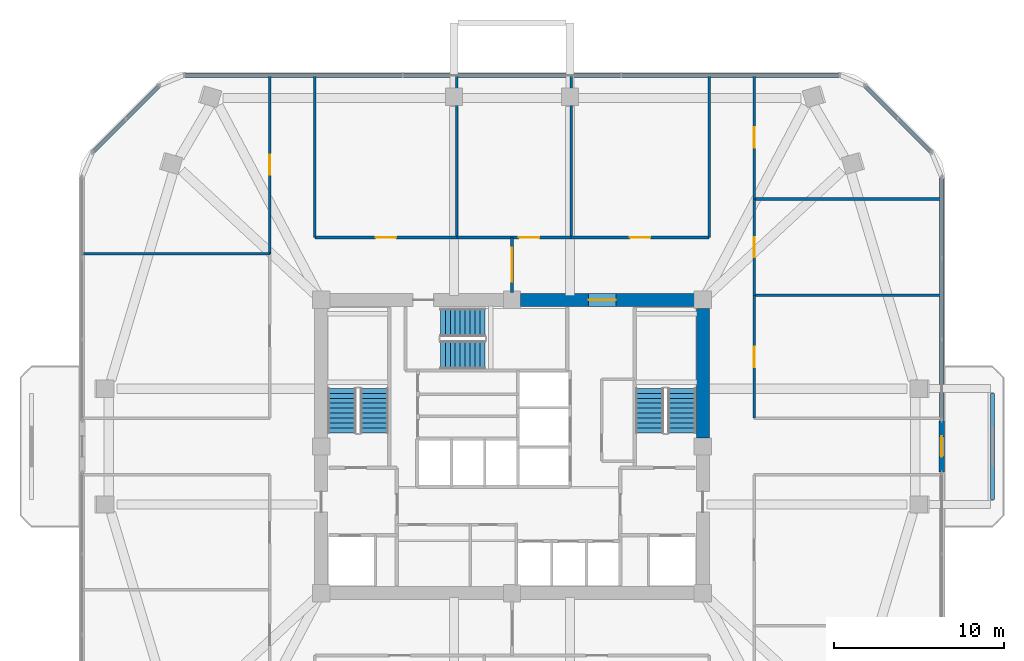
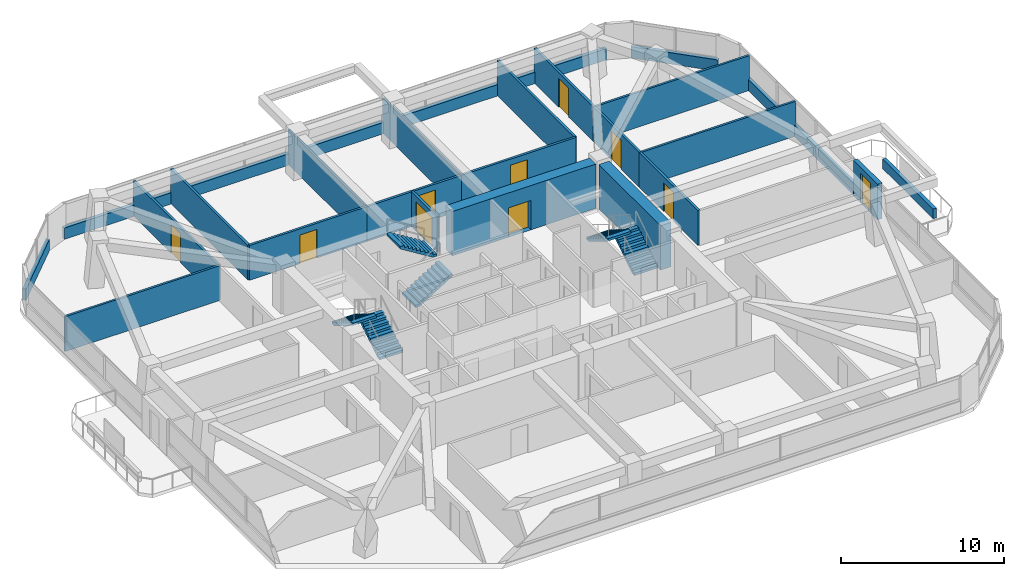
# One storey, part 12 of 14: 23 walls, 10 doors, 6 stair flights, 10 openings, 3 elements without a shape of their own.
"""IFC4 building model written with IfcOpenShell, lengths in metres."""

from ifc_helpers import new_model, si_unit, derived_unit, direction, frame, frame_2d, origin, place, context, subcontext, project, spatial, polyline, rectangle, outline, extrude, material, layer, layer_set, type_object, element, fill, aggregate, save


model = new_model("IFC4")

# Units and contexts
model_context = context("Model", 3, precision=1e-05, world=origin(), true_north=direction((0.0, 1.0)))
body_context = subcontext(model_context, "Body", "Model", "MODEL_VIEW")
ifc_project = project(units=[si_unit("LENGTHUNIT", "METRE"), si_unit("AREAUNIT", "SQUARE_METRE"), si_unit("VOLUMEUNIT", "CUBIC_METRE"), si_unit("PLANEANGLEUNIT", "RADIAN"), si_unit("MASSUNIT", "GRAM", prefix="KILO"), derived_unit("THERMALTRANSMITTANCEUNIT", [(si_unit("POWERUNIT", "WATT"), 1), (si_unit("LENGTHUNIT", "METRE"), -2), (si_unit("THERMODYNAMICTEMPERATUREUNIT", "KELVIN"), -1)])], contexts=[model_context])

# Site, building, storey
site_placement = place(None, origin())
site = spatial("IfcSite", under=ifc_project, at=site_placement, CompositionType="ELEMENT")
building_placement = place(site_placement, origin())
building = spatial("IfcBuilding", under=site, at=building_placement, Name="Koralith Skygarden Medical Center", CompositionType="ELEMENT")
storey_placement = place(building_placement, frame((0.0, 0.0, 106.3798828125)))
storey = spatial("IfcBuildingStorey", under=building, at=storey_placement, Name="L27", CompositionType="ELEMENT", Elevation=106.3798828125)

# Walls
ifc_material_1 = material(Name="Gypsum Board Partition")
ifc_layer_1 = layer(ifc_material_1, 0.14990234375)
ifc_layer_set_1 = layer_set([ifc_layer_1], Name="Gypsum Board Partition")
wall_type_1 = type_object("IfcWallType", Name="Clinical Acoustic Partition 150", PredefinedType="PARTITIONING", material=ifc_layer_set_1)
for number, where, z_axis, x_axis, name in (
    (1, (33.762939453125, 38.159912109375, 0.0), (0.0, 0.0, 1.0), (0.0, 1.0, 0.0), "L27 Clinical Acoustic Partition 150 W-PART-L27-N-01"),
    (2, (40.468017578125, 38.159912109375, 0.0), (0.0, 0.0, 1.0), (0.0, 1.0, 0.0), "L27 Clinical Acoustic Partition 150 W-PART-L27-N-02"),
):
    element("IfcWall", number, at=place(storey_placement, frame(where, z_axis=z_axis, x_axis=x_axis)), inside=storey, type_object=wall_type_1, Name=name, PredefinedType="PARTITIONING", context=body_context, shape_type="SweptSolid", body=[
        extrude(rectangle(XDim=9.4970703125, YDim=0.14990234375, at=frame_2d((4.74853515625, 0.0))), origin(), (0.0, 0.0, 1.0), 2.610107421875),
    ])
for number, where, z_axis, x_axis, name in (
    (3, (22.7900390625, 37.20703125, 0.0), (0.0, 0.0, 1.0), (-1.0, 0.0, 0.0), "L27 Clinical Acoustic Partition 150 W-PART-L27-WN-01"),
    (4, (51.2099609375, 34.762939453125, 0.0), (0.0, 0.0, 1.0), (1.0, 0.0, 0.0), "L27 Clinical Acoustic Partition 150 W-PART-L27-EN-01"),
    (5, (51.2099609375, 40.422119140625, 0.0), (0.0, 0.0, 1.0), (1.0, 0.0, 0.0), "L27 Clinical Acoustic Partition 150 W-PART-L27-EN-02"),
):
    element("IfcWall", number, at=place(storey_placement, frame(where, z_axis=z_axis, x_axis=x_axis)), inside=storey, type_object=wall_type_1, Name=name, PredefinedType="PARTITIONING", context=body_context, shape_type="SweptSolid", body=[
        extrude(rectangle(XDim=10.97900390625, YDim=0.14990234375, at=frame_2d((5.489501953125, 0.0))), origin(), (0.0, 0.0, 1.0), 2.610107421875),
    ])
ifc_layer_2 = layer(ifc_material_1, 0.1650390625)
ifc_layer_set_2 = layer_set([ifc_layer_2], Name="Gypsum Board Partition")
wall_type_2 = type_object("IfcWallType", Name="Clinical Corridor Partition 165", PredefinedType="PARTITIONING", material=ifc_layer_set_2)
for number, where, z_axis, x_axis, name in (
    (6, (25.429931640625, 38.159912109375, 0.0), (0.0, 0.0, 1.0), (0.0, 1.0, 0.0), "L27 Clinical Corridor Partition 165 W-HCOR-L27-NW"),
    (7, (48.570068359375, 38.159912109375, 0.0), (0.0, 0.0, 1.0), (0.0, 1.0, 0.0), "L27 Clinical Corridor Partition 165 W-HCOR-L27-NE"),
):
    element("IfcWall", number, at=place(storey_placement, frame(where, z_axis=z_axis, x_axis=x_axis)), inside=storey, type_object=wall_type_2, Name=name, PredefinedType="PARTITIONING", context=body_context, shape_type="SweptSolid", body=[
        extrude(rectangle(XDim=9.4970703125, YDim=0.1650390625, at=frame_2d((4.74853515625, 0.0))), origin(), (0.0, 0.0, 1.0), 2.610107421875),
    ])

# Wall, opening, door
wall_1_placement = place(storey_placement, frame((25.429931640625, 38.159912109375, 0.0), z_axis=(0.0, 0.0, 1.0), x_axis=(1.0, 0.0, 0.0)))
wall_1 = element("IfcWall", 8, at=wall_1_placement, inside=storey, type_object=wall_type_2, Name="L27 Clinical Corridor Partition 165 W-CORR-L27-N-01", PredefinedType="PARTITIONING", context=body_context, shape_type="SweptSolid", body=[
    extrude(rectangle(XDim=8.3330078125, YDim=0.1650390625, at=frame_2d((4.16650390625, 0.0))), origin(), (0.0, 0.0, 1.0), 2.610107421875),
])
opening_1_placement = place(wall_1_placement, frame((3.56591796875, 0.0, 0.0)))
opening_1 = element("IfcOpeningElement", 9, at=opening_1_placement, cuts=wall_1, Name="Opening D-CLN", PredefinedType="OPENING", context=body_context, shape_type="SweptSolid", body=[
    extrude(rectangle(XDim=1.199951171875, YDim=2.14990234375, at=frame_2d((0.60009765625, 1.074951171875))), frame((0.0, 0.092529296875, 0.0), z_axis=(0.0, -1.0, 0.0), x_axis=(1.0, 0.0, 0.0)), (0.0, 0.0, 1.0), 0.18505859375),
])
ifc_material_2 = material(Name="Aluminium 6063-T6", Category="aluminium")
door_type_1 = type_object("IfcDoorType", Name="Clinical Corridor Door D-CLN 1200", OperationType="NOTDEFINED", PredefinedType="DOOR", material=ifc_material_2)
door_1_placement = place(opening_1_placement, origin())
door_1 = element("IfcDoor", 10, at=door_1_placement, inside=storey, type_object=door_type_1, Name="L27 Tumor Board Conference Room 01 Door", OperationType="SINGLE_SWING_RIGHT", OverallHeight=2.14990234375, OverallWidth=1.199951171875, PredefinedType="DOOR", context=body_context, shape_type="SweptSolid", body=[
    extrude(rectangle(XDim=1.199951171875, YDim=2.14990234375, at=frame_2d((0.60009765625, 1.074951171875))), frame((0.0, 0.02490234375, 0.0), z_axis=(0.0, -1.0, 0.0), x_axis=(1.0, 0.0, 0.0)), (0.0, 0.0, 1.0), 0.050048828125),
])
fill(opening_1, door_1)

wall_2_placement = place(storey_placement, frame((33.762939453125, 38.159912109375, 0.0), z_axis=(0.0, 0.0, 1.0), x_axis=(1.0, 0.0, 0.0)))
wall_2 = element("IfcWall", 11, at=wall_2_placement, inside=storey, type_object=wall_type_2, Name="L27 Clinical Corridor Partition 165 W-CORR-L27-N-02", PredefinedType="PARTITIONING", context=body_context, shape_type="SweptSolid", body=[
    extrude(rectangle(XDim=6.705078125, YDim=0.1650390625, at=frame_2d((3.3525390625, 0.0))), origin(), (0.0, 0.0, 1.0), 2.610107421875),
])
opening_2_placement = place(wall_2_placement, frame((3.64111328125, 0.0, 0.0)))
opening_2 = element("IfcOpeningElement", 12, at=opening_2_placement, cuts=wall_2, Name="Opening D-CLN", PredefinedType="OPENING", context=body_context, shape_type="SweptSolid", body=[
    extrude(rectangle(XDim=1.199951171875, YDim=2.14990234375, at=frame_2d((0.60009765625, 1.074951171875))), frame((0.0, 0.092529296875, 0.0), z_axis=(0.0, -1.0, 0.0), x_axis=(1.0, 0.0, 0.0)), (0.0, 0.0, 1.0), 0.18505859375),
])
door_2_placement = place(opening_2_placement, origin())
door_2 = element("IfcDoor", 13, at=door_2_placement, inside=storey, type_object=door_type_1, Name="L27 Oncology Examination Room 02 Door", OperationType="SINGLE_SWING_LEFT", OverallHeight=2.14990234375, OverallWidth=1.199951171875, PredefinedType="DOOR", context=body_context, shape_type="SweptSolid", body=[
    extrude(rectangle(XDim=1.199951171875, YDim=2.14990234375, at=frame_2d((0.60009765625, 1.074951171875))), frame((0.0, 0.02490234375, 0.0), z_axis=(0.0, -1.0, 0.0), x_axis=(1.0, 0.0, 0.0)), (0.0, 0.0, 1.0), 0.050048828125),
])
fill(opening_2, door_2)

wall_3_placement = place(storey_placement, frame((40.468017578125, 38.159912109375, 0.0), z_axis=(0.0, 0.0, 1.0), x_axis=(1.0, 0.0, 0.0)))
wall_3 = element("IfcWall", 14, at=wall_3_placement, inside=storey, type_object=wall_type_2, Name="L27 Clinical Corridor Partition 165 W-CORR-L27-N-03", PredefinedType="PARTITIONING", context=body_context, shape_type="SweptSolid", body=[
    extrude(rectangle(XDim=8.10205078125, YDim=0.1650390625, at=frame_2d((4.051025390625, 0.0))), origin(), (0.0, 0.0, 1.0), 2.610107421875),
])
opening_3_placement = place(wall_3_placement, frame((3.450927734375, 0.0, 0.0)))
opening_3 = element("IfcOpeningElement", 15, at=opening_3_placement, cuts=wall_3, Name="Opening D-CLN", PredefinedType="OPENING", context=body_context, shape_type="SweptSolid", body=[
    extrude(rectangle(XDim=1.199951171875, YDim=2.14990234375, at=frame_2d((0.60009765625, 1.074951171875))), frame((0.0, 0.092529296875, 0.0), z_axis=(0.0, -1.0, 0.0), x_axis=(1.0, 0.0, 0.0)), (0.0, 0.0, 1.0), 0.18505859375),
])
door_3_placement = place(opening_3_placement, origin())
door_3 = element("IfcDoor", 16, at=door_3_placement, inside=storey, type_object=door_type_1, Name="L27 Staff Nutrition Pantry 03 Door", OperationType="SINGLE_SWING_RIGHT", OverallHeight=2.14990234375, OverallWidth=1.199951171875, PredefinedType="DOOR", context=body_context, shape_type="SweptSolid", body=[
    extrude(rectangle(XDim=1.199951171875, YDim=2.14990234375, at=frame_2d((0.60009765625, 1.074951171875))), frame((0.0, 0.02490234375, 0.0), z_axis=(0.0, -1.0, 0.0), x_axis=(1.0, 0.0, 0.0)), (0.0, 0.0, 1.0), 0.050048828125),
])
fill(opening_3, door_3)

wall_4_placement = place(storey_placement, frame((22.7900390625, 37.20703125, 0.0), z_axis=(0.0, 0.0, 1.0), x_axis=(0.0, 1.0, 0.0)))
wall_4 = element("IfcWall", 17, at=wall_4_placement, inside=storey, type_object=wall_type_2, Name="L27 Clinical Corridor Partition 165 W-CORR-L27-WN-02", PredefinedType="PARTITIONING", context=body_context, shape_type="SweptSolid", body=[
    extrude(rectangle(XDim=10.449951171875, YDim=0.1650390625, at=frame_2d((5.22509765625, 0.0))), origin(), (0.0, 0.0, 1.0), 2.610107421875),
])
opening_4_placement = place(wall_4_placement, frame((4.625, 0.0, 0.0)))
opening_4 = element("IfcOpeningElement", 18, at=opening_4_placement, cuts=wall_4, Name="Opening D-CLN", PredefinedType="OPENING", context=body_context, shape_type="SweptSolid", body=[
    extrude(rectangle(XDim=1.199951171875, YDim=2.14990234375, at=frame_2d((0.60009765625, 1.074951171875))), frame((0.0, 0.092529296875, 0.0), z_axis=(0.0, -1.0, 0.0), x_axis=(1.0, 0.0, 0.0)), (0.0, 0.0, 1.0), 0.18505859375),
])
door_4_placement = place(opening_4_placement, frame((1.199951171875, 0.0, 0.0), z_axis=(0.0, 0.0, 1.0), x_axis=(-1.0, 0.0, 0.0)))
door_4 = element("IfcDoor", 19, at=door_4_placement, inside=storey, type_object=door_type_1, Name="L27 Oncology Examination Room 10 Door", OperationType="SINGLE_SWING_LEFT", OverallHeight=2.14990234375, OverallWidth=1.199951171875, PredefinedType="DOOR", context=body_context, shape_type="SweptSolid", body=[
    extrude(rectangle(XDim=1.199951171875, YDim=2.14990234375, at=frame_2d((0.60009765625, 1.074951171875))), frame((0.0, 0.02490234375, 0.0), z_axis=(0.0, -1.0, 0.0), x_axis=(1.0, 0.0, 0.0)), (0.0, 0.0, 1.0), 0.050048828125),
])
fill(opening_4, door_4)

wall_5_placement = place(storey_placement, frame((51.2099609375, 27.56005859375, 0.0), z_axis=(0.0, 0.0, 1.0), x_axis=(0.0, 1.0, 0.0)))
wall_5 = element("IfcWall", 20, at=wall_5_placement, inside=storey, type_object=wall_type_2, Name="L27 Clinical Corridor Partition 165 W-CORR-L27-EN-01", PredefinedType="PARTITIONING", context=body_context, shape_type="SweptSolid", body=[
    extrude(rectangle(XDim=7.202880859375, YDim=0.1650390625, at=frame_2d((3.6015625, 0.0))), origin(), (0.0, 0.0, 1.0), 2.610107421875),
])
opening_5_placement = place(wall_5_placement, frame((3.0009765625, 0.0, 0.0)))
opening_5 = element("IfcOpeningElement", 21, at=opening_5_placement, cuts=wall_5, Name="Opening D-CLN", PredefinedType="OPENING", context=body_context, shape_type="SweptSolid", body=[
    extrude(rectangle(XDim=1.199951171875, YDim=2.14990234375, at=frame_2d((0.60009765625, 1.074951171875))), frame((0.0, 0.092529296875, 0.0), z_axis=(0.0, -1.0, 0.0), x_axis=(1.0, 0.0, 0.0)), (0.0, 0.0, 1.0), 0.18505859375),
])
door_5_placement = place(opening_5_placement, origin())
door_5 = element("IfcDoor", 22, at=door_5_placement, inside=storey, type_object=door_type_1, Name="L27 Tumor Board Conference Room 13 Door", OperationType="SINGLE_SWING_RIGHT", OverallHeight=2.14990234375, OverallWidth=1.199951171875, PredefinedType="DOOR", context=body_context, shape_type="SweptSolid", body=[
    extrude(rectangle(XDim=1.199951171875, YDim=2.14990234375, at=frame_2d((0.60009765625, 1.074951171875))), frame((0.0, 0.02490234375, 0.0), z_axis=(0.0, -1.0, 0.0), x_axis=(1.0, 0.0, 0.0)), (0.0, 0.0, 1.0), 0.050048828125),
])
fill(opening_5, door_5)

wall_6_placement = place(storey_placement, frame((51.2099609375, 34.762939453125, 0.0), z_axis=(0.0, 0.0, 1.0), x_axis=(0.0, 1.0, 0.0)))
wall_6 = element("IfcWall", 23, at=wall_6_placement, inside=storey, type_object=wall_type_2, Name="L27 Clinical Corridor Partition 165 W-CORR-L27-EN-02", PredefinedType="PARTITIONING", context=body_context, shape_type="SweptSolid", body=[
    extrude(rectangle(XDim=5.6591796875, YDim=0.1650390625, at=frame_2d((2.82958984375, 0.0))), origin(), (0.0, 0.0, 1.0), 2.610107421875),
])
opening_6_placement = place(wall_6_placement, frame((2.22900390625, 0.0, 0.0)))
opening_6 = element("IfcOpeningElement", 24, at=opening_6_placement, cuts=wall_6, Name="Opening D-CLN", PredefinedType="OPENING", context=body_context, shape_type="SweptSolid", body=[
    extrude(rectangle(XDim=1.199951171875, YDim=2.14990234375, at=frame_2d((0.60009765625, 1.074951171875))), frame((0.0, 0.092529296875, 0.0), z_axis=(0.0, -1.0, 0.0), x_axis=(1.0, 0.0, 0.0)), (0.0, 0.0, 1.0), 0.18505859375),
])
door_6_placement = place(opening_6_placement, origin())
door_6 = element("IfcDoor", 25, at=door_6_placement, inside=storey, type_object=door_type_1, Name="L27 Oncology Examination Room 14 Door", OperationType="SINGLE_SWING_LEFT", OverallHeight=2.14990234375, OverallWidth=1.199951171875, PredefinedType="DOOR", context=body_context, shape_type="SweptSolid", body=[
    extrude(rectangle(XDim=1.199951171875, YDim=2.14990234375, at=frame_2d((0.60009765625, 1.074951171875))), frame((0.0, 0.02490234375, 0.0), z_axis=(0.0, -1.0, 0.0), x_axis=(1.0, 0.0, 0.0)), (0.0, 0.0, 1.0), 0.050048828125),
])
fill(opening_6, door_6)

wall_7_placement = place(storey_placement, frame((51.2099609375, 40.422119140625, 0.0), z_axis=(0.0, 0.0, 1.0), x_axis=(0.0, 1.0, 0.0)))
wall_7 = element("IfcWall", 26, at=wall_7_placement, inside=storey, type_object=wall_type_2, Name="L27 Clinical Corridor Partition 165 W-CORR-L27-EN-03", PredefinedType="PARTITIONING", context=body_context, shape_type="SweptSolid", body=[
    extrude(rectangle(XDim=7.23486328125, YDim=0.1650390625, at=frame_2d((3.617431640625, 0.0))), origin(), (0.0, 0.0, 1.0), 2.610107421875),
])
opening_7_placement = place(wall_7_placement, frame((3.01708984375, 0.0, 0.0)))
opening_7 = element("IfcOpeningElement", 27, at=opening_7_placement, cuts=wall_7, Name="Opening D-CLN", PredefinedType="OPENING", context=body_context, shape_type="SweptSolid", body=[
    extrude(rectangle(XDim=1.199951171875, YDim=2.14990234375, at=frame_2d((0.60009765625, 1.074951171875))), frame((0.0, 0.092529296875, 0.0), z_axis=(0.0, -1.0, 0.0), x_axis=(1.0, 0.0, 0.0)), (0.0, 0.0, 1.0), 0.18505859375),
])
door_7_placement = place(opening_7_placement, origin())
door_7 = element("IfcDoor", 28, at=door_7_placement, inside=storey, type_object=door_type_1, Name="L27 Staff Nutrition Pantry 15 Door", OperationType="SINGLE_SWING_RIGHT", OverallHeight=2.14990234375, OverallWidth=1.199951171875, PredefinedType="DOOR", context=body_context, shape_type="SweptSolid", body=[
    extrude(rectangle(XDim=1.199951171875, YDim=2.14990234375, at=frame_2d((0.60009765625, 1.074951171875))), frame((0.0, 0.02490234375, 0.0), z_axis=(0.0, -1.0, 0.0), x_axis=(1.0, 0.0, 0.0)), (0.0, 0.0, 1.0), 0.050048828125),
])
fill(opening_7, door_7)

ifc_layer_3 = layer(ifc_material_1, 0.179931640625)
ifc_layer_set_3 = layer_set([ifc_layer_3], Name="Gypsum Board Partition")
wall_type_3 = type_object("IfcWallType", Name="Group I-2 Smoke Barrier Wall 180", PredefinedType="PARTITIONING", material=ifc_layer_set_3)
wall_8_placement = place(storey_placement, frame((37.0, 34.949951171875, 0.0), z_axis=(0.0, 0.0, 1.0), x_axis=(0.0, 1.0, 0.0)))
wall_8 = element("IfcWall", 29, at=wall_8_placement, inside=storey, type_object=wall_type_3, Name="L27 Group I-2 Smoke Barrier Wall 180 W-SMK-L27-N", PredefinedType="PARTITIONING", context=body_context, shape_type="SweptSolid", body=[
    extrude(rectangle(XDim=3.2099609375, YDim=0.179931640625, at=frame_2d((1.60498046875, 0.0))), origin(), (0.0, 0.0, 1.0), 2.610107421875),
])
opening_8_placement = place(wall_8_placement, frame((0.60498046875, 0.0, 0.0)))
opening_8 = element("IfcOpeningElement", 30, at=opening_8_placement, cuts=wall_8, Name="Opening D-SMK", PredefinedType="OPENING", context=body_context, shape_type="SweptSolid", body=[
    extrude(rectangle(XDim=2.0, YDim=2.199951171875, at=frame_2d((1.0, 1.10009765625))), frame((0.0, 0.099853515625, 0.0), z_axis=(0.0, -1.0, 0.0), x_axis=(1.0, 0.0, 0.0)), (0.0, 0.0, 1.0), 0.199951171875),
])
ifc_material_3 = material(Name="Steel ASTM A500 Grade C", Category="steel")
door_type_2 = type_object("IfcDoorType", Name="Cross-Corridor Double Smoke Door FD60S 2000", OperationType="NOTDEFINED", PredefinedType="DOOR", material=ifc_material_3)
door_8_placement = place(opening_8_placement, origin())
door_8 = element("IfcDoor", 31, at=door_8_placement, inside=storey, type_object=door_type_2, Name="L27 N Smoke Compartment Cross-Corridor Door", OperationType="DOUBLE_DOOR_SINGLE_SWING", OverallHeight=2.199951171875, OverallWidth=2.0, PredefinedType="DOOR", context=body_context, shape_type="SweptSolid", body=[
    extrude(rectangle(XDim=2.0, YDim=2.199951171875, at=frame_2d((1.0, 1.10009765625))), frame((0.0, 0.02490234375, 0.0), z_axis=(0.0, -1.0, 0.0), x_axis=(1.0, 0.0, 0.0)), (0.0, 0.0, 1.0), 0.050048828125),
])
fill(opening_8, door_8)

# Walls
ifc_material_4 = material(Name="Warm Oolitic Limestone Cladding", Category="masonry")
ifc_layer_4 = layer(ifc_material_4, 0.239990234375)
ifc_layer_set_4 = layer_set([ifc_layer_4], Name="Warm Oolitic Limestone Cladding")
wall_type_4 = type_object("IfcWallType", Name="Limestone Spandrel Sill Backup Wall 240", PredefinedType="SOLIDWALL", material=ifc_layer_set_4)
wall_9_placement = place(storey_placement, frame((62.208984375, 27.43994140625, 0.0), z_axis=(0.0, 0.0, 1.0), x_axis=(0.0, 1.0, 0.0)))
element("IfcWall", 32, at=wall_9_placement, inside=storey, type_object=wall_type_4, Name="L27 Sill Spandrel E-R", PredefinedType="SOLIDWALL", context=body_context, shape_type="SweptSolid", body=[
    extrude(rectangle(XDim=14.261962890625, YDim=0.239990234375, at=frame_2d((7.130859375, 0.0))), origin(), (0.0, 0.0, 1.0), 0.85009765625),
])
wall_10_placement = place(storey_placement, frame((61.60693359375, 43.153076171875, 0.0), z_axis=(0.0, 0.0, 1.0), x_axis=(-0.707106781187, 0.707106781187, 0.0)))
element("IfcWall", 33, at=wall_10_placement, inside=storey, type_object=wall_type_4, Name="L27 Sill Spandrel NE", PredefinedType="SOLIDWALL", context=body_context, shape_type="SweptSolid", body=[
    extrude(rectangle(XDim=5.5478515625, YDim=0.239990234375, at=frame_2d((2.77392578125, 0.0))), origin(), (0.0, 0.0, 1.0), 0.85009765625),
])
wall_11_placement = place(storey_placement, frame((56.23291015625, 47.677001953125, 0.0), z_axis=(0.0, 0.0, 1.0), x_axis=(-1.0, 0.0, 0.0)))
element("IfcWall", 34, at=wall_11_placement, inside=storey, type_object=wall_type_4, Name="L27 Sill Spandrel N", PredefinedType="SOLIDWALL", context=body_context, shape_type="SweptSolid", body=[
    extrude(rectangle(XDim=38.4658203125, YDim=0.239990234375, at=frame_2d((19.23291015625, 0.0))), origin(), (0.0, 0.0, 1.0), 0.85009765625),
])
wall_12_placement = place(storey_placement, frame((16.31591796875, 47.075927734375, 0.0), z_axis=(0.0, 0.0, 1.0), x_axis=(-0.707106781187, -0.707106781187, 0.0)))
element("IfcWall", 35, at=wall_12_placement, inside=storey, type_object=wall_type_4, Name="L27 Sill Spandrel NW", PredefinedType="SOLIDWALL", context=body_context, shape_type="SweptSolid", body=[
    extrude(rectangle(XDim=5.5478515625, YDim=0.239990234375, at=frame_2d((2.77392578125, 0.0))), origin(), (0.0, 0.0, 1.0), 0.85009765625),
])
ifc_material_5 = material(Name="Concrete C70/85", Category="concrete")
ifc_layer_5 = layer(ifc_material_5, 0.75)
ifc_layer_set_5 = layer_set([ifc_layer_5], Name="Concrete C70/85")
wall_type_5 = type_object("IfcWallType", Name="Mid Core Shear Wall 750", PredefinedType="SHEAR", material=ifc_layer_set_5)
wall_13_placement = place(storey_placement, frame((48.199951171875, 26.405029296875, 0.0), z_axis=(0.0, 0.0, 1.0), x_axis=(0.0, 1.0, 0.0)))
element("IfcWall", 36, at=wall_13_placement, inside=storey, type_object=wall_type_5, Name="L27 Core Shear Wall Segment 4", PredefinedType="SHEAR", context=body_context, shape_type="SweptSolid", body=[
    extrude(rectangle(XDim=7.590087890625, YDim=0.75, at=frame_2d((3.794921875, 0.0))), origin(), (0.0, 0.0, 1.0), 3.320068359375),
])

# Wall, opening, door
wall_14_placement = place(storey_placement, frame((47.695068359375, 34.5, 0.0), z_axis=(0.0, 0.0, 1.0), x_axis=(-1.0, 0.0, 0.0)))
wall_14 = element("IfcWall", 37, at=wall_14_placement, inside=storey, type_object=wall_type_5, Name="L27 Core Shear Wall Segment 5", PredefinedType="SHEAR", context=body_context, shape_type="SweptSolid", body=[
    extrude(rectangle(XDim=10.190185546875, YDim=0.75, at=frame_2d((5.09521484375, 0.0))), origin(), (0.0, 0.0, 1.0), 3.320068359375),
])
opening_9_placement = place(wall_14_placement, frame((4.594970703125, 0.0, 0.0)))
opening_9 = element("IfcOpeningElement", 38, at=opening_9_placement, cuts=wall_14, Name="Opening D-DBL", PredefinedType="OPENING", context=body_context, shape_type="SweptSolid", body=[
    extrude(rectangle(XDim=1.60009765625, YDim=2.199951171875, at=frame_2d((0.800048828125, 1.10009765625))), frame((0.0, 0.385009765625, 0.0), z_axis=(0.0, -1.0, 0.0), x_axis=(1.0, 0.0, 0.0)), (0.0, 0.0, 1.0), 0.77001953125),
])
door_type_3 = type_object("IfcDoorType", Name="Double Clinical Suite Door D-DBL 1600", OperationType="NOTDEFINED", PredefinedType="DOOR", material=ifc_material_2)
door_9_placement = place(opening_9_placement, frame((1.60009765625, 0.0, 0.0), z_axis=(0.0, 0.0, 1.0), x_axis=(-1.0, 0.0, 0.0)))
door_9 = element("IfcDoor", 39, at=door_9_placement, inside=storey, type_object=door_type_3, Name="L27 North-East Corridor to Elevator Lobby Door", OperationType="DOUBLE_DOOR_SINGLE_SWING", OverallHeight=2.199951171875, OverallWidth=1.60009765625, PredefinedType="DOOR", context=body_context, shape_type="SweptSolid", body=[
    extrude(rectangle(XDim=1.60009765625, YDim=2.199951171875, at=frame_2d((0.800048828125, 1.10009765625))), frame((0.0, 0.02490234375, 0.0), z_axis=(0.0, -1.0, 0.0), x_axis=(1.0, 0.0, 0.0)), (0.0, 0.0, 1.0), 0.050048828125),
])
fill(opening_9, door_9)

ifc_layer_6 = layer(ifc_material_4, 0.300048828125)
ifc_layer_set_6 = layer_set([ifc_layer_6], Name="Warm Oolitic Limestone Cladding")
wall_type_6 = type_object("IfcWallType", Name="Oolitic Limestone Insulated Facade Wall 300", PredefinedType="SOLIDWALL", material=ifc_layer_set_6)
wall_15_placement = place(storey_placement, frame((62.208984375, 24.39990234375, 0.0), z_axis=(0.0, 0.0, 1.0), x_axis=(0.0, 1.0, 0.0)))
wall_15 = element("IfcWall", 40, at=wall_15_placement, inside=storey, type_object=wall_type_6, Name="L27 Terrace Portal Wall E", PredefinedType="SOLIDWALL", context=body_context, shape_type="SweptSolid", body=[
    extrude(rectangle(XDim=3.0, YDim=0.300048828125, at=frame_2d((1.5, 0.0))), origin(), (0.0, 0.0, 1.0), 2.670166015625),
])
opening_10_placement = place(wall_15_placement, frame((0.89990234375, 0.0, 0.0)))
opening_10 = element("IfcOpeningElement", 41, at=opening_10_placement, cuts=wall_15, Name="Opening D-BAL", PredefinedType="OPENING", context=body_context, shape_type="SweptSolid", body=[
    extrude(rectangle(XDim=1.199951171875, YDim=2.199951171875, at=frame_2d((0.60009765625, 1.10009765625))), frame((0.0, 0.159912109375, 0.0), z_axis=(0.0, -1.0, 0.0), x_axis=(1.0, 0.0, 0.0)), (0.0, 0.0, 1.0), 0.320068359375),
])
door_type_4 = type_object("IfcDoorType", Name="Planted Balcony Glazed Terrace Door D-BAL 1200", OperationType="NOTDEFINED", PredefinedType="DOOR", material=ifc_material_2)
door_10_placement = place(opening_10_placement, origin())
door_10 = element("IfcDoor", 42, at=door_10_placement, inside=storey, type_object=door_type_4, Name="L27 E Outdoor Terrace Access Door", OperationType="SINGLE_SWING_RIGHT", OverallHeight=2.199951171875, OverallWidth=1.199951171875, PredefinedType="DOOR", context=body_context, shape_type="SweptSolid", body=[
    extrude(rectangle(XDim=1.199951171875, YDim=2.199951171875, at=frame_2d((0.60009765625, 1.10009765625))), frame((0.0, 0.02490234375, 0.0), z_axis=(0.0, -1.0, 0.0), x_axis=(1.0, 0.0, 0.0)), (0.0, 0.0, 1.0), 0.050048828125),
])
fill(opening_10, door_10)

# Wall
ifc_material_6 = material(Name="Precast concrete C40/50", Category="concrete")
ifc_layer_7 = layer(ifc_material_6, 0.25)
ifc_layer_set_7 = layer_set([ifc_layer_7], Name="Precast concrete C40/50")
wall_type_7 = type_object("IfcWallType", Name="Structural Concrete Balcony Planter Kerb 250", PredefinedType="PARAPET", material=ifc_layer_set_7)
wall_16_placement = place(storey_placement, frame((65.18798828125, 22.800048828125, 0.0), z_axis=(0.0, 0.0, 1.0), x_axis=(0.0, 1.0, 0.0)))
element("IfcWall", 43, at=wall_16_placement, inside=storey, type_object=wall_type_7, Name="L27 E Structural Tree PLANTER Box", PredefinedType="PARAPET", context=body_context, shape_type="SweptSolid", body=[
    extrude(rectangle(XDim=6.199951171875, YDim=0.25, at=frame_2d((3.10009765625, 0.0))), origin(), (0.0, 0.0, 1.0), 0.72021484375),
])

# Stair, stair flights
ifc_material_7 = material(Name="Concrete C45/55", Category="concrete")
stair_type = type_object("IfcStairType", Name="Core Exit Dogleg Concrete Stair", PredefinedType="HALF_TURN_STAIR", material=ifc_material_7)
stair_1_placement = place(storey_placement, origin())
stair_1 = element("IfcStair", 44, at=stair_1_placement, inside=storey, type_object=stair_type, Name="L27 Smokeproof Exit Stair ST1", PredefinedType="HALF_TURN_STAIR")
stair_flight_type = type_object("IfcStairFlightType", Name="Core Exit Concrete Stair Flight 1650", PredefinedType="STRAIGHT", material=ifc_material_7)
stair_flight_1_placement = place(storey_placement, frame((28.925048828125, 26.699951171875, 0.0), z_axis=(0.0, 0.0, 1.0), x_axis=(0.0, 1.0, 0.0)))
stair_flight_1 = element("IfcStairFlight", 45, at=stair_flight_1_placement, type_object=stair_flight_type, Name="ST1 flight 1", NumberOfRisers=10, NumberOfTreads=9, PredefinedType="STRAIGHT", RiserHeight=0.18, TreadLength=0.29, context=body_context, shape_type="SweptSolid", body=[
    extrude(outline(polyline([(0.0, 0.0), (0.0, 0.179931640625), (0.2900390625, 0.179931640625), (0.2900390625, 0.360107421875), (0.580078125, 0.360107421875), (0.580078125, 0.5400390625), (0.8701171875, 0.5400390625), (0.8701171875, 0.719970703125), (1.159912109375, 0.719970703125), (1.159912109375, 0.89990234375), (1.449951171875, 0.89990234375), (1.449951171875, 1.080078125), (1.739990234375, 1.080078125), (1.739990234375, 1.260009765625), (2.030029296875, 1.260009765625), (2.030029296875, 1.43994140625), (2.320068359375, 1.43994140625), (2.320068359375, 1.6201171875), (2.610107421875, 1.6201171875), (2.610107421875, 1.800048828125), (2.610107421875, 1.443603515625), (0.2841796875, 0.0), (0.0, 0.0)])), frame((0.0, 0.824951171875, 0.0), z_axis=(0.0, -1.0, 0.0), x_axis=(1.0, 0.0, 0.0)), (0.0, 0.0, 1.0), 1.64990234375),
])
stair_flight_2_placement = place(storey_placement, frame((27.02490234375, 29.31005859375, 1.800048828125), z_axis=(0.0, 0.0, 1.0), x_axis=(0.0, -1.0, 0.0)))
stair_flight_2 = element("IfcStairFlight", 46, at=stair_flight_2_placement, type_object=stair_flight_type, Name="ST1 flight 2", NumberOfRisers=10, NumberOfTreads=9, PredefinedType="STRAIGHT", RiserHeight=0.18, TreadLength=0.29, context=body_context, shape_type="SweptSolid", body=[
    extrude(outline(polyline([(0.0, 0.0), (0.0, 0.179931640625), (0.2900390625, 0.179931640625), (0.2900390625, 0.360107421875), (0.580078125, 0.360107421875), (0.580078125, 0.5400390625), (0.8701171875, 0.5400390625), (0.8701171875, 0.719970703125), (1.159912109375, 0.719970703125), (1.159912109375, 0.89990234375), (1.449951171875, 0.89990234375), (1.449951171875, 1.080078125), (1.739990234375, 1.080078125), (1.739990234375, 1.260009765625), (2.030029296875, 1.260009765625), (2.030029296875, 1.43994140625), (2.320068359375, 1.43994140625), (2.320068359375, 1.6201171875), (2.610107421875, 1.6201171875), (2.610107421875, 1.800048828125), (2.610107421875, 1.443603515625), (0.2841796875, 0.0), (0.0, 0.0)])), frame((0.0, 0.824951171875, 0.0), z_axis=(0.0, -1.0, 0.0), x_axis=(1.0, 0.0, 0.0)), (0.0, 0.0, 1.0), 1.64990234375),
])
aggregate(stair_1, [stair_flight_1, stair_flight_2])

stair_2_placement = place(storey_placement, origin())
stair_2 = element("IfcStair", 47, at=stair_2_placement, inside=storey, type_object=stair_type, Name="L27 Smokeproof Exit Stair ST2", PredefinedType="HALF_TURN_STAIR")
stair_flight_3_placement = place(storey_placement, frame((46.97509765625, 26.699951171875, 0.0), z_axis=(0.0, 0.0, 1.0), x_axis=(0.0, 1.0, 0.0)))
stair_flight_3 = element("IfcStairFlight", 48, at=stair_flight_3_placement, type_object=stair_flight_type, Name="ST2 flight 1", NumberOfRisers=10, NumberOfTreads=9, PredefinedType="STRAIGHT", RiserHeight=0.18, TreadLength=0.29, context=body_context, shape_type="SweptSolid", body=[
    extrude(outline(polyline([(0.0, 0.0), (0.0, 0.179931640625), (0.2900390625, 0.179931640625), (0.2900390625, 0.360107421875), (0.580078125, 0.360107421875), (0.580078125, 0.5400390625), (0.8701171875, 0.5400390625), (0.8701171875, 0.719970703125), (1.159912109375, 0.719970703125), (1.159912109375, 0.89990234375), (1.449951171875, 0.89990234375), (1.449951171875, 1.080078125), (1.739990234375, 1.080078125), (1.739990234375, 1.260009765625), (2.030029296875, 1.260009765625), (2.030029296875, 1.43994140625), (2.320068359375, 1.43994140625), (2.320068359375, 1.6201171875), (2.610107421875, 1.6201171875), (2.610107421875, 1.800048828125), (2.610107421875, 1.443603515625), (0.2841796875, 0.0), (0.0, 0.0)])), frame((0.0, 0.824951171875, 0.0), z_axis=(0.0, -1.0, 0.0), x_axis=(1.0, 0.0, 0.0)), (0.0, 0.0, 1.0), 1.64990234375),
])
stair_flight_4_placement = place(storey_placement, frame((45.074951171875, 29.31005859375, 1.800048828125), z_axis=(0.0, 0.0, 1.0), x_axis=(0.0, -1.0, 0.0)))
stair_flight_4 = element("IfcStairFlight", 49, at=stair_flight_4_placement, type_object=stair_flight_type, Name="ST2 flight 2", NumberOfRisers=10, NumberOfTreads=9, PredefinedType="STRAIGHT", RiserHeight=0.18, TreadLength=0.29, context=body_context, shape_type="SweptSolid", body=[
    extrude(outline(polyline([(0.0, 0.0), (0.0, 0.179931640625), (0.2900390625, 0.179931640625), (0.2900390625, 0.360107421875), (0.580078125, 0.360107421875), (0.580078125, 0.5400390625), (0.8701171875, 0.5400390625), (0.8701171875, 0.719970703125), (1.159912109375, 0.719970703125), (1.159912109375, 0.89990234375), (1.449951171875, 0.89990234375), (1.449951171875, 1.080078125), (1.739990234375, 1.080078125), (1.739990234375, 1.260009765625), (2.030029296875, 1.260009765625), (2.030029296875, 1.43994140625), (2.320068359375, 1.43994140625), (2.320068359375, 1.6201171875), (2.610107421875, 1.6201171875), (2.610107421875, 1.800048828125), (2.610107421875, 1.443603515625), (0.2841796875, 0.0), (0.0, 0.0)])), frame((0.0, 0.824951171875, 0.0), z_axis=(0.0, -1.0, 0.0), x_axis=(1.0, 0.0, 0.0)), (0.0, 0.0, 1.0), 1.64990234375),
])
aggregate(stair_2, [stair_flight_3, stair_flight_4])

stair_3_placement = place(storey_placement, origin())
stair_3 = element("IfcStair", 50, at=stair_3_placement, inside=storey, type_object=stair_type, Name="L27 Smokeproof Exit Stair ST3", PredefinedType="HALF_TURN_STAIR")
stair_flight_5_placement = place(storey_placement, frame((32.800048828125, 31.27490234375, 0.0), z_axis=(0.0, 0.0, 1.0), x_axis=(1.0, 0.0, 0.0)))
stair_flight_5 = element("IfcStairFlight", 51, at=stair_flight_5_placement, type_object=stair_flight_type, Name="ST3 flight 1", NumberOfRisers=10, NumberOfTreads=9, PredefinedType="STRAIGHT", RiserHeight=0.18, TreadLength=0.29, context=body_context, shape_type="SweptSolid", body=[
    extrude(outline(polyline([(0.0, 0.0), (0.0, 0.179931640625), (0.2900390625, 0.179931640625), (0.2900390625, 0.360107421875), (0.580078125, 0.360107421875), (0.580078125, 0.5400390625), (0.8701171875, 0.5400390625), (0.8701171875, 0.719970703125), (1.159912109375, 0.719970703125), (1.159912109375, 0.89990234375), (1.449951171875, 0.89990234375), (1.449951171875, 1.080078125), (1.739990234375, 1.080078125), (1.739990234375, 1.260009765625), (2.030029296875, 1.260009765625), (2.030029296875, 1.43994140625), (2.320068359375, 1.43994140625), (2.320068359375, 1.6201171875), (2.610107421875, 1.6201171875), (2.610107421875, 1.800048828125), (2.610107421875, 1.443603515625), (0.2841796875, 0.0), (0.0, 0.0)])), frame((0.0, 0.824951171875, 0.0), z_axis=(0.0, -1.0, 0.0), x_axis=(1.0, 0.0, 0.0)), (0.0, 0.0, 1.0), 1.64990234375),
])
stair_flight_6_placement = place(storey_placement, frame((35.409912109375, 33.175048828125, 1.800048828125), z_axis=(0.0, 0.0, 1.0), x_axis=(-1.0, 0.0, 0.0)))
stair_flight_6 = element("IfcStairFlight", 52, at=stair_flight_6_placement, type_object=stair_flight_type, Name="ST3 flight 2", NumberOfRisers=10, NumberOfTreads=9, PredefinedType="STRAIGHT", RiserHeight=0.18, TreadLength=0.29, context=body_context, shape_type="SweptSolid", body=[
    extrude(outline(polyline([(0.0, 0.0), (0.0, 0.179931640625), (0.2900390625, 0.179931640625), (0.2900390625, 0.360107421875), (0.580078125, 0.360107421875), (0.580078125, 0.5400390625), (0.8701171875, 0.5400390625), (0.8701171875, 0.719970703125), (1.159912109375, 0.719970703125), (1.159912109375, 0.89990234375), (1.449951171875, 0.89990234375), (1.449951171875, 1.080078125), (1.739990234375, 1.080078125), (1.739990234375, 1.260009765625), (2.030029296875, 1.260009765625), (2.030029296875, 1.43994140625), (2.320068359375, 1.43994140625), (2.320068359375, 1.6201171875), (2.610107421875, 1.6201171875), (2.610107421875, 1.800048828125), (2.610107421875, 1.443603515625), (0.2841796875, 0.0), (0.0, 0.0)])), frame((0.0, 0.824951171875, 0.0), z_axis=(0.0, -1.0, 0.0), x_axis=(1.0, 0.0, 0.0)), (0.0, 0.0, 1.0), 1.64990234375),
])
aggregate(stair_3, [stair_flight_5, stair_flight_6])

save(model, "model.ifc")
